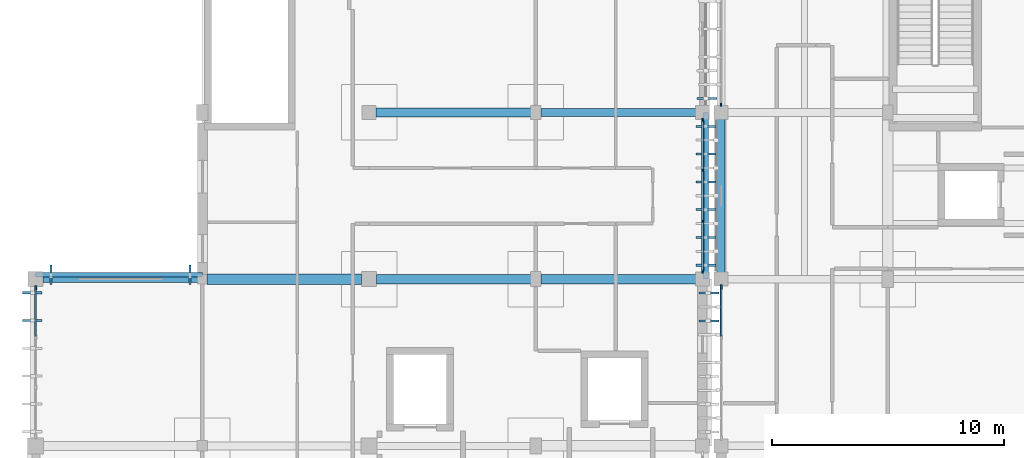
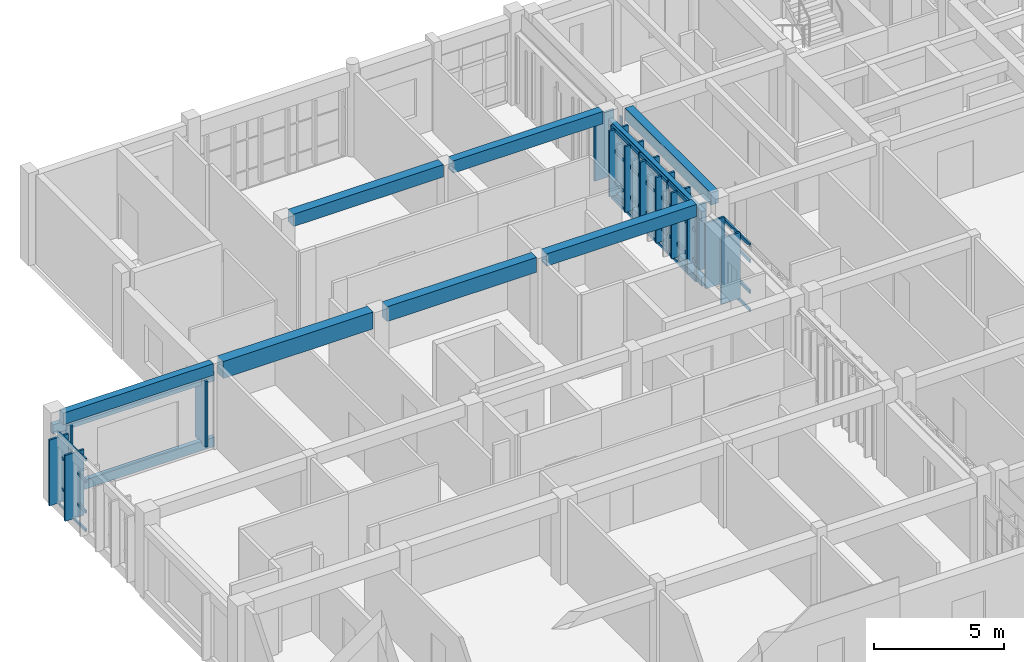
# One storey, part 14 of 55: 40 members, 11 beams, 4 elements without a shape of their own.
"""IFC4 building model written with IfcOpenShell, lengths in metres."""

from ifc_helpers import new_model, si_unit, direction, frame, origin, origin_2d, place, context, subcontext, project, spatial, rectangle, extrude, material, material_profile, profile_set, type_object, element, aggregate, save


model = new_model("IFC4")

# Units and contexts
model_context = context("Model", 3, precision=1e-05, world=origin(), true_north=direction((0.0, 1.0)))
body_context = subcontext(model_context, "Body", "Model", "MODEL_VIEW")
ifc_project = project(units=[si_unit("LENGTHUNIT", "METRE"), si_unit("AREAUNIT", "SQUARE_METRE"), si_unit("VOLUMEUNIT", "CUBIC_METRE"), si_unit("PLANEANGLEUNIT", "RADIAN"), si_unit("MASSUNIT", "GRAM", prefix="KILO")], contexts=[model_context])

# Site, building, storey
site_placement = place(None, origin())
site = spatial("IfcSite", under=ifc_project, at=site_placement, CompositionType="ELEMENT")
building_placement = place(site_placement, origin())
building = spatial("IfcBuilding", under=site, at=building_placement, Name="Steenspoor Specialist Clinic", CompositionType="ELEMENT")
storey_placement = place(building_placement, frame((0.0, 0.0, 13.199951171875)))
storey = spatial("IfcBuildingStorey", under=building, at=storey_placement, Name="L03", CompositionType="ELEMENT", Elevation=13.199951171875)

# Beams
ifc_material_1 = material(Name="Glulam GL28h", Category="wood")
ifc_material_profile_1 = material_profile(ifc_material_1, rectangle(XDim=0.199951171875, YDim=0.43994140625, at=origin_2d()), Name="GL28H-200X440")
ifc_profile_set_1 = profile_set([ifc_material_profile_1], Name="Glulam GL28h")
beam_type_1 = type_object("IfcBeamType", Name="BM-GL-200X440", PredefinedType="BEAM", material=ifc_profile_set_1)
for number, where, z_axis, x_axis, name in (
    (1, (22.800048828125, 94.139892578125, 0.14013671875), (1.0, 0.0, 0.0), (0.0, 1.0, 0.0), "Timber Screen Tie Rail V5 L03 189"),
    (2, (22.800048828125, 94.139892578125, 3.22998046875), (1.0, 0.0, 0.0), (0.0, 1.0, 0.0), "Timber Screen Tie Rail V5 L03 190"),
    (3, (51.75, 101.14990234375, 0.14013671875), (0.0, -1.0, 0.0), (1.0, 0.0, 0.0), "Timber Screen Tie Rail V5 L03 207"),
    (4, (51.75, 101.14990234375, 3.22998046875), (0.0, -1.0, 0.0), (1.0, 0.0, 0.0), "Timber Screen Tie Rail V5 L03 208"),
):
    element("IfcBeam", number, at=place(storey_placement, frame(where, z_axis=z_axis, x_axis=x_axis)), inside=storey, type_object=beam_type_1, Name=name, PredefinedType="BEAM", context=body_context, shape_type="SweptSolid", body=[
        extrude(rectangle(XDim=0.199951171875, YDim=0.43994140625, at=origin_2d()), origin(), (0.0, 0.0, 1.0), 7.199951171875),
    ])
ifc_material_2 = material(Name="Concrete C35/45", Category="concrete")
ifc_material_profile_2 = material_profile(ifc_material_2, rectangle(XDim=0.300048828125, YDim=0.550048828125, at=origin_2d()), Name="RC-BM-300X550")
ifc_profile_set_2 = profile_set([ifc_material_profile_2], Name="Concrete C35/45")
beam_type_2 = type_object("IfcBeamType", Name="BM-RC-300X550", PredefinedType="BEAM", material=ifc_profile_set_2)
beam_1_placement = place(storey_placement, frame((23.1201171875, 93.949951171875, 3.760009765625), z_axis=(1.0, 0.0, 0.0), x_axis=(0.0, 1.0, 0.0)))
element("IfcBeam", 5, at=beam_1_placement, inside=storey, type_object=beam_type_2, Name="BM-V5-L03-X1347", PredefinedType="BEAM", context=body_context, shape_type="SweptSolid", body=[
    extrude(rectangle(XDim=0.300048828125, YDim=0.550048828125, at=origin_2d()), origin(), (0.0, 0.0, 1.0), 6.684814453125),
])
ifc_material_profile_3 = material_profile(ifc_material_2, rectangle(XDim=0.35009765625, YDim=0.580078125, at=origin_2d()), Name="RC-BM-350X580")
ifc_profile_set_3 = profile_set([ifc_material_profile_3], Name="Concrete C35/45")
beam_type_3 = type_object("IfcBeamType", Name="BM-RC-350X580", PredefinedType="BEAM", material=ifc_profile_set_3)
beam_2_placement = place(storey_placement, frame((52.39990234375, 94.2451171875, 3.66015625), z_axis=(0.0, 1.0, 0.0), x_axis=(-1.0, 0.0, 0.0)))
element("IfcBeam", 6, at=beam_2_placement, inside=storey, type_object=beam_type_3, Name="BM-V4-L03-Y0865", PredefinedType="BEAM", context=body_context, shape_type="SweptSolid", body=[
    extrude(rectangle(XDim=0.35009765625, YDim=0.580078125, at=origin_2d()), origin(), (0.0, 0.0, 1.0), 6.60986328125),
])
beam_3_placement = place(storey_placement, frame((44.6201171875, 101.14990234375, 3.7451171875), z_axis=(1.0, 0.0, 0.0), x_axis=(0.0, 1.0, 0.0)))
element("IfcBeam", 7, at=beam_3_placement, inside=storey, type_object=beam_type_3, Name="BM-V5-L03-X1352", PredefinedType="BEAM", context=body_context, shape_type="SweptSolid", body=[
    extrude(rectangle(XDim=0.35009765625, YDim=0.580078125, at=origin_2d()), origin(), (0.0, 0.0, 1.0), 6.684814453125),
])
ifc_material_profile_4 = material_profile(ifc_material_2, rectangle(XDim=0.39990234375, YDim=0.580078125, at=origin_2d()), Name="RC-BM-400X580")
ifc_profile_set_4 = profile_set([ifc_material_profile_4], Name="Concrete C35/45")
beam_type_4 = type_object("IfcBeamType", Name="BM-RC-400X580", PredefinedType="BEAM", material=ifc_profile_set_4)
for number, where, z_axis, x_axis, name in (
    (8, (44.6201171875, 93.949951171875, 3.7451171875), (1.0, 0.0, 0.0), (0.0, 1.0, 0.0), "BM-V5-L03-X1350"),
    (9, (37.4951171875, 101.14990234375, 3.7451171875), (1.0, 0.0, 0.0), (0.0, 1.0, 0.0), "BM-V5-L03-X1351"),
):
    element("IfcBeam", number, at=place(storey_placement, frame(where, z_axis=z_axis, x_axis=x_axis)), inside=storey, type_object=beam_type_4, Name=name, PredefinedType="BEAM", context=body_context, shape_type="SweptSolid", body=[
        extrude(rectangle(XDim=0.39990234375, YDim=0.580078125, at=origin_2d()), origin(), (0.0, 0.0, 1.0), 6.684814453125),
    ])
ifc_material_profile_5 = material_profile(ifc_material_2, rectangle(XDim=0.39990234375, YDim=0.699951171875, at=origin_2d()), Name="RC-BM-400X700")
ifc_profile_set_5 = profile_set([ifc_material_profile_5], Name="Concrete C35/45")
beam_type_5 = type_object("IfcBeamType", Name="BM-RC-400X700", PredefinedType="BEAM", material=ifc_profile_set_5)
beam_4_placement = place(storey_placement, frame((37.52001953125, 93.949951171875, 3.68505859375), z_axis=(1.0, 0.0, 0.0), x_axis=(0.0, 1.0, 0.0)))
element("IfcBeam", 10, at=beam_4_placement, inside=storey, type_object=beam_type_5, Name="BM-V5-L03-X1349", PredefinedType="BEAM", context=body_context, shape_type="SweptSolid", body=[
    extrude(rectangle(XDim=0.39990234375, YDim=0.699951171875, at=origin_2d()), origin(), (0.0, 0.0, 1.0), 6.659912109375),
])
ifc_material_profile_6 = material_profile(ifc_material_2, rectangle(XDim=0.449951171875, YDim=0.800048828125, at=origin_2d()), Name="RC-BM-450X800")
ifc_profile_set_6 = profile_set([ifc_material_profile_6], Name="Concrete C35/45")
beam_type_6 = type_object("IfcBeamType", Name="BM-RC-450X800", PredefinedType="BEAM", material=ifc_profile_set_6)
beam_5_placement = place(storey_placement, frame((30.195068359375, 93.949951171875, 3.635009765625), z_axis=(1.0, 0.0, 0.0), x_axis=(0.0, 1.0, 0.0)))
element("IfcBeam", 11, at=beam_5_placement, inside=storey, type_object=beam_type_6, Name="BM-V5-L03-X1348", PredefinedType="BEAM", context=body_context, shape_type="SweptSolid", body=[
    extrude(rectangle(XDim=0.449951171875, YDim=0.800048828125, at=origin_2d()), origin(), (0.0, 0.0, 1.0), 6.684814453125),
])

# Curtain wall, member
ifc_material_3 = material(Name="Thermally broken aluminium and low-emissivity glass", Category="aluminium")
curtain_wall_type_1 = type_object("IfcCurtainWallType", Name="CW-TYP-650X355", PredefinedType="USERDEFINED", material=ifc_material_3)
curtain_wall_1_placement = place(storey_placement, origin())
curtain_wall_1 = element("IfcCurtainWall", 12, at=curtain_wall_1_placement, inside=storey, type_object=curtain_wall_type_1, Name="Unitised Curtain Wall CW-V4-L03-106", ObjectType="UNITISED GLAZING", PredefinedType="USERDEFINED")
ifc_material_4 = material(Name="Thermally broken aluminium 6063-T6", Category="aluminium")
ifc_material_profile_7 = material_profile(ifc_material_4, rectangle(XDim=0.06005859375, YDim=0.135009765625, at=origin_2d()), Name="CWM-60X135")
ifc_profile_set_7 = profile_set([ifc_material_profile_7], Name="Thermally broken aluminium 6063-T6")
member_type_1 = type_object("IfcMemberType", Name="CW-MULL-60X135", PredefinedType="MULLION", material=ifc_profile_set_7)
member_1_placement = place(storey_placement, frame((52.39990234375, 101.47998046875, 0.0), z_axis=(0.0, 0.0, 1.0), x_axis=(-1.0, 0.0, 0.0)))
member_1 = element("IfcMember", 13, at=member_1_placement, type_object=member_type_1, Name="CW-10 mullion 1", PredefinedType="MULLION", context=body_context, shape_type="SweptSolid", body=[
    extrude(rectangle(XDim=0.06005859375, YDim=0.135009765625, at=origin_2d()), origin(), (0.0, 0.0, 1.0), 3.130126953125),
])
aggregate(curtain_wall_1, [member_1])

# Curtain wall, members
curtain_wall_type_2 = type_object("IfcCurtainWallType", Name="CW-TYP-240X355", PredefinedType="USERDEFINED", material=ifc_material_3)
curtain_wall_2_placement = place(storey_placement, origin())
curtain_wall_2 = element("IfcCurtainWall", 14, at=curtain_wall_2_placement, inside=storey, type_object=curtain_wall_type_2, Name="Unitised Curtain Wall CW-V5-L03-160", ObjectType="UNITISED GLAZING", PredefinedType="USERDEFINED")
member_2_placement = place(storey_placement, frame((51.60009765625, 100.820068359375, 0.0), z_axis=(0.0, 0.0, 1.0), x_axis=(1.0, 0.0, 0.0)))
member_2 = element("IfcMember", 15, at=member_2_placement, type_object=member_type_1, Name="CW-16 mullion 1", PredefinedType="MULLION", context=body_context, shape_type="SweptSolid", body=[
    extrude(rectangle(XDim=0.06005859375, YDim=0.135009765625, at=origin_2d()), origin(), (0.0, 0.0, 1.0), 3.380126953125),
])
member_3_placement = place(storey_placement, frame((51.60009765625, 98.64990234375, 0.0), z_axis=(0.0, 0.0, 1.0), x_axis=(1.0, 0.0, 0.0)))
member_3 = element("IfcMember", 16, at=member_3_placement, type_object=member_type_1, Name="CW-16 mullion 2", PredefinedType="MULLION", context=body_context, shape_type="SweptSolid", body=[
    extrude(rectangle(XDim=0.06005859375, YDim=0.135009765625, at=origin_2d()), origin(), (0.0, 0.0, 1.0), 3.380126953125),
])
member_4_placement = place(storey_placement, frame((51.60009765625, 96.449951171875, 0.0), z_axis=(0.0, 0.0, 1.0), x_axis=(1.0, 0.0, 0.0)))
member_4 = element("IfcMember", 17, at=member_4_placement, type_object=member_type_1, Name="CW-16 mullion 3", PredefinedType="MULLION", context=body_context, shape_type="SweptSolid", body=[
    extrude(rectangle(XDim=0.06005859375, YDim=0.135009765625, at=origin_2d()), origin(), (0.0, 0.0, 1.0), 3.380126953125),
])
member_5_placement = place(storey_placement, frame((51.60009765625, 94.280029296875, 0.0), z_axis=(0.0, 0.0, 1.0), x_axis=(1.0, 0.0, 0.0)))
member_5 = element("IfcMember", 18, at=member_5_placement, type_object=member_type_1, Name="CW-16 mullion 4", PredefinedType="MULLION", context=body_context, shape_type="SweptSolid", body=[
    extrude(rectangle(XDim=0.06005859375, YDim=0.135009765625, at=origin_2d()), origin(), (0.0, 0.0, 1.0), 3.380126953125),
])

# Curtain wall, member
curtain_wall_type_3 = type_object("IfcCurtainWallType", Name="CW-HALL-660X820", PredefinedType="USERDEFINED", material=ifc_material_3)
curtain_wall_3_placement = place(storey_placement, origin())
curtain_wall_3 = element("IfcCurtainWall", 19, at=curtain_wall_3_placement, inside=storey, type_object=curtain_wall_type_3, Name="Unitised Curtain Wall CW-V4-L03-121", ObjectType="UNITISED GLAZING", PredefinedType="USERDEFINED")
ifc_material_profile_8 = material_profile(ifc_material_4, rectangle(XDim=0.080078125, YDim=0.179931640625, at=origin_2d()), Name="CWM-80X180")
ifc_profile_set_8 = profile_set([ifc_material_profile_8], Name="Thermally broken aluminium 6063-T6")
member_type_2 = type_object("IfcMemberType", Name="CW-MULL-80X180", PredefinedType="MULLION", material=ifc_profile_set_8)
member_6_placement = place(storey_placement, frame((52.39990234375, 93.610107421875, 0.0), z_axis=(0.0, 0.0, 1.0), x_axis=(-1.0, 0.0, 0.0)))
member_6 = element("IfcMember", 20, at=member_6_placement, type_object=member_type_2, Name="CW-01 mullion 4", PredefinedType="MULLION", context=body_context, shape_type="SweptSolid", body=[
    extrude(rectangle(XDim=0.080078125, YDim=0.179931640625, at=origin_2d()), origin(), (0.0, 0.0, 1.0), 3.130126953125),
])

# Curtain wall, members
curtain_wall_type_4 = type_object("IfcCurtainWallType", Name="CW-TYP-420X355", PredefinedType="USERDEFINED", material=ifc_material_3)
curtain_wall_4_placement = place(storey_placement, origin())
curtain_wall_4 = element("IfcCurtainWall", 21, at=curtain_wall_4_placement, inside=storey, type_object=curtain_wall_type_4, Name="Unitised Curtain Wall CW-V5-L03-157", ObjectType="UNITISED GLAZING", PredefinedType="USERDEFINED")
member_7_placement = place(storey_placement, frame((22.800048828125, 93.5849609375, 0.0), z_axis=(0.0, 0.0, 1.0), x_axis=(-1.0, 0.0, 0.0)))
member_7 = element("IfcMember", 22, at=member_7_placement, type_object=member_type_2, Name="CW-13 mullion 4", PredefinedType="MULLION", context=body_context, shape_type="SweptSolid", body=[
    extrude(rectangle(XDim=0.080078125, YDim=0.179931640625, at=origin_2d()), origin(), (0.0, 0.0, 1.0), 3.380126953125),
])
ifc_material_profile_9 = material_profile(ifc_material_4, rectangle(XDim=0.06494140625, YDim=0.1298828125, at=origin_2d()), Name="CWT-65X130")
ifc_profile_set_9 = profile_set([ifc_material_profile_9], Name="Thermally broken aluminium 6063-T6")
member_type_3 = type_object("IfcMemberType", Name="CW-TRAN-65X130", PredefinedType="USERDEFINED", material=ifc_profile_set_9)
member_8_placement = place(storey_placement, frame((22.800048828125, 91.489990234375, 0.032470703125), z_axis=(0.0, 1.0, 0.0), x_axis=(-1.0, 0.0, 0.0)))
member_8 = element("IfcMember", 23, at=member_8_placement, type_object=member_type_3, Name="CW-13 transom 3.1", ObjectType="TRANSOM", PredefinedType="USERDEFINED", context=body_context, shape_type="SweptSolid", body=[
    extrude(rectangle(XDim=0.06494140625, YDim=0.1298828125, at=origin_2d()), origin(), (0.0, 0.0, 1.0), 2.054931640625),
])
member_9_placement = place(storey_placement, frame((22.800048828125, 91.489990234375, 0.900146484375), z_axis=(0.0, 1.0, 0.0), x_axis=(-1.0, 0.0, 0.0)))
member_9 = element("IfcMember", 24, at=member_9_placement, type_object=member_type_3, Name="CW-13 transom 3.2", ObjectType="TRANSOM", PredefinedType="USERDEFINED", context=body_context, shape_type="SweptSolid", body=[
    extrude(rectangle(XDim=0.06494140625, YDim=0.1298828125, at=origin_2d()), origin(), (0.0, 0.0, 1.0), 2.054931640625),
])
member_10_placement = place(storey_placement, frame((22.800048828125, 91.489990234375, 2.35009765625), z_axis=(0.0, 1.0, 0.0), x_axis=(-1.0, 0.0, 0.0)))
member_10 = element("IfcMember", 25, at=member_10_placement, type_object=member_type_3, Name="CW-13 transom 3.3", ObjectType="TRANSOM", PredefinedType="USERDEFINED", context=body_context, shape_type="SweptSolid", body=[
    extrude(rectangle(XDim=0.06494140625, YDim=0.1298828125, at=origin_2d()), origin(), (0.0, 0.0, 1.0), 2.054931640625),
])
member_11_placement = place(storey_placement, frame((22.800048828125, 91.489990234375, 3.34765625), z_axis=(0.0, 1.0, 0.0), x_axis=(-1.0, 0.0, 0.0)))
member_11 = element("IfcMember", 26, at=member_11_placement, type_object=member_type_3, Name="CW-13 transom 3.4", ObjectType="TRANSOM", PredefinedType="USERDEFINED", context=body_context, shape_type="SweptSolid", body=[
    extrude(rectangle(XDim=0.06494140625, YDim=0.1298828125, at=origin_2d()), origin(), (0.0, 0.0, 1.0), 2.054931640625),
])
aggregate(curtain_wall_4, [member_7, member_8, member_9, member_10, member_11])

# Member
ifc_material_profile_10 = material_profile(ifc_material_4, rectangle(XDim=0.070068359375, YDim=0.14501953125, at=origin_2d()), Name="CWT-70X145")
ifc_profile_set_10 = profile_set([ifc_material_profile_10], Name="Thermally broken aluminium 6063-T6")
member_type_4 = type_object("IfcMemberType", Name="CW-TRAN-70X145", PredefinedType="USERDEFINED", material=ifc_profile_set_10)
member_12_placement = place(storey_placement, frame((52.39990234375, 91.489990234375, 0.03515625), z_axis=(0.0, 1.0, 0.0), x_axis=(-1.0, 0.0, 0.0)))
member_12 = element("IfcMember", 27, at=member_12_placement, type_object=member_type_4, Name="CW-01 transom 3.1", ObjectType="TRANSOM", PredefinedType="USERDEFINED", context=body_context, shape_type="SweptSolid", body=[
    extrude(rectangle(XDim=0.070068359375, YDim=0.14501953125, at=origin_2d()), origin(), (0.0, 0.0, 1.0), 2.080078125),
])

member_13_placement = place(storey_placement, frame((52.39990234375, 91.489990234375, 0.900146484375), z_axis=(0.0, 1.0, 0.0), x_axis=(-1.0, 0.0, 0.0)))
member_13 = element("IfcMember", 28, at=member_13_placement, type_object=member_type_4, Name="CW-01 transom 3.2", ObjectType="TRANSOM", PredefinedType="USERDEFINED", context=body_context, shape_type="SweptSolid", body=[
    extrude(rectangle(XDim=0.070068359375, YDim=0.14501953125, at=origin_2d()), origin(), (0.0, 0.0, 1.0), 2.080078125),
])

member_14_placement = place(storey_placement, frame((52.39990234375, 91.489990234375, 2.35009765625), z_axis=(0.0, 1.0, 0.0), x_axis=(-1.0, 0.0, 0.0)))
member_14 = element("IfcMember", 29, at=member_14_placement, type_object=member_type_4, Name="CW-01 transom 3.3", ObjectType="TRANSOM", PredefinedType="USERDEFINED", context=body_context, shape_type="SweptSolid", body=[
    extrude(rectangle(XDim=0.070068359375, YDim=0.14501953125, at=origin_2d()), origin(), (0.0, 0.0, 1.0), 2.080078125),
])

member_15_placement = place(storey_placement, frame((52.39990234375, 91.489990234375, 3.094970703125), z_axis=(0.0, 1.0, 0.0), x_axis=(-1.0, 0.0, 0.0)))
member_15 = element("IfcMember", 30, at=member_15_placement, type_object=member_type_4, Name="CW-01 transom 3.4", ObjectType="TRANSOM", PredefinedType="USERDEFINED", context=body_context, shape_type="SweptSolid", body=[
    extrude(rectangle(XDim=0.070068359375, YDim=0.14501953125, at=origin_2d()), origin(), (0.0, 0.0, 1.0), 2.080078125),
])

aggregate(curtain_wall_3, [member_6, member_12, member_13, member_14, member_15])

ifc_material_profile_11 = material_profile(ifc_material_4, rectangle(XDim=0.080078125, YDim=0.159912109375, at=origin_2d()), Name="CWT-80X160")
ifc_profile_set_11 = profile_set([ifc_material_profile_11], Name="Thermally broken aluminium 6063-T6")
member_type_5 = type_object("IfcMemberType", Name="CW-TRAN-80X160", PredefinedType="USERDEFINED", material=ifc_profile_set_11)
member_16_placement = place(storey_placement, frame((51.60009765625, 100.7900390625, 0.0400390625), z_axis=(0.0, -1.0, 0.0), x_axis=(1.0, 0.0, 0.0)))
member_16 = element("IfcMember", 31, at=member_16_placement, type_object=member_type_5, Name="CW-16 transom 1.1", ObjectType="TRANSOM", PredefinedType="USERDEFINED", context=body_context, shape_type="SweptSolid", body=[
    extrude(rectangle(XDim=0.080078125, YDim=0.159912109375, at=origin_2d()), origin(), (0.0, 0.0, 1.0), 2.110107421875),
])

member_17_placement = place(storey_placement, frame((51.60009765625, 100.7900390625, 0.900146484375), z_axis=(0.0, -1.0, 0.0), x_axis=(1.0, 0.0, 0.0)))
member_17 = element("IfcMember", 32, at=member_17_placement, type_object=member_type_5, Name="CW-16 transom 1.2", ObjectType="TRANSOM", PredefinedType="USERDEFINED", context=body_context, shape_type="SweptSolid", body=[
    extrude(rectangle(XDim=0.080078125, YDim=0.159912109375, at=origin_2d()), origin(), (0.0, 0.0, 1.0), 2.110107421875),
])

member_18_placement = place(storey_placement, frame((51.60009765625, 100.7900390625, 2.35009765625), z_axis=(0.0, -1.0, 0.0), x_axis=(1.0, 0.0, 0.0)))
member_18 = element("IfcMember", 33, at=member_18_placement, type_object=member_type_5, Name="CW-16 transom 1.3", ObjectType="TRANSOM", PredefinedType="USERDEFINED", context=body_context, shape_type="SweptSolid", body=[
    extrude(rectangle(XDim=0.080078125, YDim=0.159912109375, at=origin_2d()), origin(), (0.0, 0.0, 1.0), 2.110107421875),
])

member_19_placement = place(storey_placement, frame((51.60009765625, 100.7900390625, 3.340087890625), z_axis=(0.0, -1.0, 0.0), x_axis=(1.0, 0.0, 0.0)))
member_19 = element("IfcMember", 34, at=member_19_placement, type_object=member_type_5, Name="CW-16 transom 1.4", ObjectType="TRANSOM", PredefinedType="USERDEFINED", context=body_context, shape_type="SweptSolid", body=[
    extrude(rectangle(XDim=0.080078125, YDim=0.159912109375, at=origin_2d()), origin(), (0.0, 0.0, 1.0), 2.110107421875),
])

member_20_placement = place(storey_placement, frame((51.60009765625, 98.6201171875, 0.0400390625), z_axis=(0.0, -1.0, 0.0), x_axis=(1.0, 0.0, 0.0)))
member_20 = element("IfcMember", 35, at=member_20_placement, type_object=member_type_5, Name="CW-16 transom 2.1", ObjectType="TRANSOM", PredefinedType="USERDEFINED", context=body_context, shape_type="SweptSolid", body=[
    extrude(rectangle(XDim=0.080078125, YDim=0.159912109375, at=origin_2d()), origin(), (0.0, 0.0, 1.0), 2.14013671875),
])

member_21_placement = place(storey_placement, frame((51.60009765625, 98.6201171875, 0.900146484375), z_axis=(0.0, -1.0, 0.0), x_axis=(1.0, 0.0, 0.0)))
member_21 = element("IfcMember", 36, at=member_21_placement, type_object=member_type_5, Name="CW-16 transom 2.2", ObjectType="TRANSOM", PredefinedType="USERDEFINED", context=body_context, shape_type="SweptSolid", body=[
    extrude(rectangle(XDim=0.080078125, YDim=0.159912109375, at=origin_2d()), origin(), (0.0, 0.0, 1.0), 2.14013671875),
])

member_22_placement = place(storey_placement, frame((51.60009765625, 98.6201171875, 2.35009765625), z_axis=(0.0, -1.0, 0.0), x_axis=(1.0, 0.0, 0.0)))
member_22 = element("IfcMember", 37, at=member_22_placement, type_object=member_type_5, Name="CW-16 transom 2.3", ObjectType="TRANSOM", PredefinedType="USERDEFINED", context=body_context, shape_type="SweptSolid", body=[
    extrude(rectangle(XDim=0.080078125, YDim=0.159912109375, at=origin_2d()), origin(), (0.0, 0.0, 1.0), 2.14013671875),
])

member_23_placement = place(storey_placement, frame((51.60009765625, 98.6201171875, 3.340087890625), z_axis=(0.0, -1.0, 0.0), x_axis=(1.0, 0.0, 0.0)))
member_23 = element("IfcMember", 38, at=member_23_placement, type_object=member_type_5, Name="CW-16 transom 2.4", ObjectType="TRANSOM", PredefinedType="USERDEFINED", context=body_context, shape_type="SweptSolid", body=[
    extrude(rectangle(XDim=0.080078125, YDim=0.159912109375, at=origin_2d()), origin(), (0.0, 0.0, 1.0), 2.14013671875),
])

member_24_placement = place(storey_placement, frame((51.60009765625, 96.419921875, 0.0400390625), z_axis=(0.0, -1.0, 0.0), x_axis=(1.0, 0.0, 0.0)))
member_24 = element("IfcMember", 39, at=member_24_placement, type_object=member_type_5, Name="CW-16 transom 3.1", ObjectType="TRANSOM", PredefinedType="USERDEFINED", context=body_context, shape_type="SweptSolid", body=[
    extrude(rectangle(XDim=0.080078125, YDim=0.159912109375, at=origin_2d()), origin(), (0.0, 0.0, 1.0), 2.10986328125),
])

member_25_placement = place(storey_placement, frame((51.60009765625, 96.419921875, 0.900146484375), z_axis=(0.0, -1.0, 0.0), x_axis=(1.0, 0.0, 0.0)))
member_25 = element("IfcMember", 40, at=member_25_placement, type_object=member_type_5, Name="CW-16 transom 3.2", ObjectType="TRANSOM", PredefinedType="USERDEFINED", context=body_context, shape_type="SweptSolid", body=[
    extrude(rectangle(XDim=0.080078125, YDim=0.159912109375, at=origin_2d()), origin(), (0.0, 0.0, 1.0), 2.10986328125),
])

member_26_placement = place(storey_placement, frame((51.60009765625, 96.419921875, 2.35009765625), z_axis=(0.0, -1.0, 0.0), x_axis=(1.0, 0.0, 0.0)))
member_26 = element("IfcMember", 41, at=member_26_placement, type_object=member_type_5, Name="CW-16 transom 3.3", ObjectType="TRANSOM", PredefinedType="USERDEFINED", context=body_context, shape_type="SweptSolid", body=[
    extrude(rectangle(XDim=0.080078125, YDim=0.159912109375, at=origin_2d()), origin(), (0.0, 0.0, 1.0), 2.10986328125),
])

member_27_placement = place(storey_placement, frame((51.60009765625, 96.419921875, 3.340087890625), z_axis=(0.0, -1.0, 0.0), x_axis=(1.0, 0.0, 0.0)))
member_27 = element("IfcMember", 42, at=member_27_placement, type_object=member_type_5, Name="CW-16 transom 3.4", ObjectType="TRANSOM", PredefinedType="USERDEFINED", context=body_context, shape_type="SweptSolid", body=[
    extrude(rectangle(XDim=0.080078125, YDim=0.159912109375, at=origin_2d()), origin(), (0.0, 0.0, 1.0), 2.10986328125),
])

aggregate(curtain_wall_2, [member_2, member_3, member_4, member_5, member_16, member_17, member_18, member_19, member_20, member_21, member_22, member_23, member_24, member_25, member_26, member_27])

# Members
ifc_material_profile_12 = material_profile(ifc_material_1, rectangle(XDim=0.090087890625, YDim=0.85009765625, at=origin_2d()), Name="GL28H-90X850")
ifc_profile_set_12 = profile_set([ifc_material_profile_12], Name="Glulam GL28h")
member_type_6 = type_object("IfcMemberType", Name="MEM-SCREEN-GL850", PredefinedType="STRUT", material=ifc_profile_set_12)
for number, where, z_axis, x_axis, name in (
    (43, (22.64990234375, 92.16259765625, 0.27001953125), (0.0, 0.0, 1.0), (0.0, 1.0, 0.0), "Glulam Timber Screen Fin SCR-FIN-V5-L03-0187"),
    (44, (22.64990234375, 93.362548828125, 0.27001953125), (0.0, 0.0, 1.0), (0.0, 1.0, 0.0), "Glulam Timber Screen Fin SCR-FIN-V5-L03-0188"),
    (45, (23.46240234375, 94.139892578125, 0.27001953125), (0.0, 0.0, 1.0), (1.0, 0.0, 0.0), "Glulam Timber Screen Fin SCR-FIN-V5-L03-0191"),
    (46, (29.46240234375, 94.139892578125, 0.27001953125), (0.0, 0.0, 1.0), (1.0, 0.0, 0.0), "Glulam Timber Screen Fin SCR-FIN-V5-L03-0192"),
    (47, (51.7900390625, 101.75, 0.27001953125), (0.0, 0.0, 1.0), (0.0, -1.0, 0.0), "Glulam Timber Screen Fin SCR-FIN-V5-L03-0206"),
    (48, (51.75, 100.550048828125, 0.27001953125), (0.0, 0.0, 1.0), (0.0, -1.0, 0.0), "Glulam Timber Screen Fin SCR-FIN-V5-L03-0209"),
    (49, (51.75, 99.35009765625, 0.27001953125), (0.0, 0.0, 1.0), (0.0, -1.0, 0.0), "Glulam Timber Screen Fin SCR-FIN-V5-L03-0210"),
    (50, (51.75, 98.14990234375, 0.27001953125), (0.0, 0.0, 1.0), (0.0, -1.0, 0.0), "Glulam Timber Screen Fin SCR-FIN-V5-L03-0211"),
    (51, (51.75, 96.949951171875, 0.27001953125), (0.0, 0.0, 1.0), (0.0, -1.0, 0.0), "Glulam Timber Screen Fin SCR-FIN-V5-L03-0212"),
    (52, (51.75, 95.75, 0.27001953125), (0.0, 0.0, 1.0), (0.0, -1.0, 0.0), "Glulam Timber Screen Fin SCR-FIN-V5-L03-0213"),
    (53, (51.75, 94.550048828125, 0.27001953125), (0.0, 0.0, 1.0), (0.0, -1.0, 0.0), "Glulam Timber Screen Fin SCR-FIN-V5-L03-0214"),
    (54, (51.8798828125, 93.35009765625, 0.27001953125), (0.0, 0.0, 1.0), (0.0, -1.0, 0.0), "Glulam Timber Screen Fin SCR-FIN-V5-L03-0217"),
    (55, (51.8798828125, 92.14990234375, 0.27001953125), (0.0, 0.0, 1.0), (0.0, -1.0, 0.0), "Glulam Timber Screen Fin SCR-FIN-V5-L03-0218"),
):
    element("IfcMember", number, at=place(storey_placement, frame(where, z_axis=z_axis, x_axis=x_axis)), inside=storey, type_object=member_type_6, Name=name, PredefinedType="STRUT", context=body_context, shape_type="SweptSolid", body=[
        extrude(rectangle(XDim=0.090087890625, YDim=0.85009765625, at=origin_2d()), origin(), (0.0, 0.0, 1.0), 3.10009765625),
    ])

save(model, "model.ifc")
